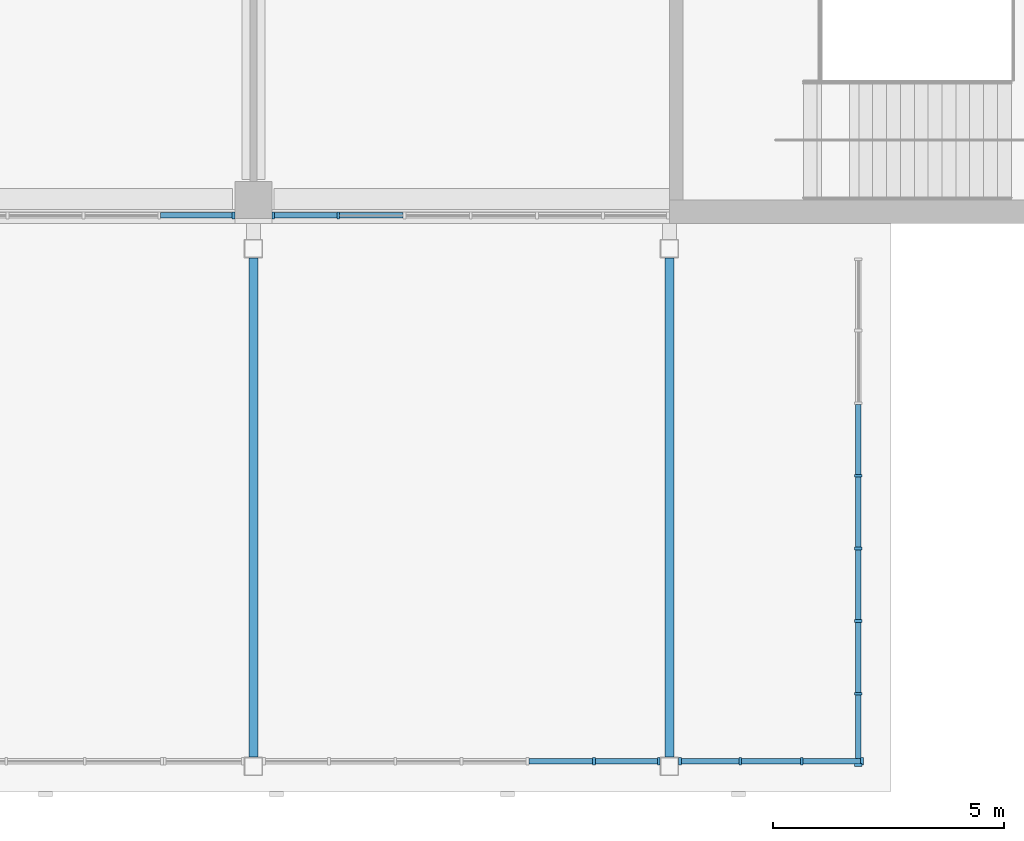
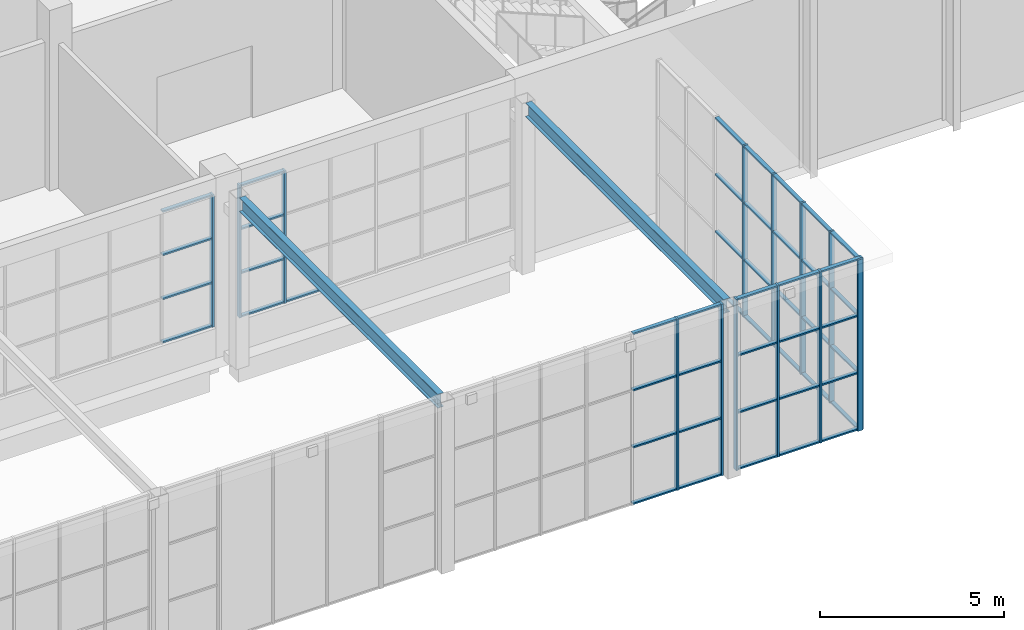
# One storey, part 11 of 89: 63 members, 2 beams, 5 elements without a shape of their own.
"""IFC4 building model written with IfcOpenShell, lengths in metres."""

from ifc_helpers import new_model, si_unit, direction, frame, origin, origin_2d, place, context, subcontext, project, spatial, rectangle, i_section, extrude, material, material_profile, profile_set, type_object, element, aggregate, save


model = new_model("IFC4")

# Units and contexts
model_context = context("Model", 3, precision=1e-05, world=origin(), true_north=direction((0.0, 1.0)))
body_context = subcontext(model_context, "Body", "Model", "MODEL_VIEW")
ifc_project = project(units=[si_unit("LENGTHUNIT", "METRE"), si_unit("AREAUNIT", "SQUARE_METRE"), si_unit("VOLUMEUNIT", "CUBIC_METRE"), si_unit("PLANEANGLEUNIT", "RADIAN"), si_unit("MASSUNIT", "GRAM", prefix="KILO")], contexts=[model_context])

# Site, building, storey
site_placement = place(None, origin())
site = spatial("IfcSite", under=ifc_project, at=site_placement, CompositionType="ELEMENT")
building_placement = place(site_placement, origin())
building = spatial("IfcBuilding", under=site, at=building_placement, Name="Silverbay Arena", CompositionType="ELEMENT")
storey_placement = place(building_placement, frame((0.0, 0.0, 22.0)))
storey = spatial("IfcBuildingStorey", under=building, at=storey_placement, Name="L03", CompositionType="ELEMENT", Elevation=22.0)

# Beams
ifc_material_1 = material(Name="Steel S355", Category="steel")
ifc_material_profile_1 = material_profile(ifc_material_1, i_section(OverallWidth=0.19287109375, OverallDepth=0.46728515625, WebThickness=0.011474609375, FlangeThickness=0.01953125, at=origin_2d()), Name="UB 457x191x98")
ifc_profile_set_1 = profile_set([ifc_material_profile_1], Name="Steel S355")
beam_type = type_object("IfcBeamType", Name="Hall beam UB 457x191x98", PredefinedType="BEAM", material=ifc_profile_set_1)
for number, where, z_axis, x_axis, name in (
    (1, (135.0, 16.75, 5.46630859375), (0.0, -1.0, 0.0), (1.0, 0.0, 0.0), "South entrance hall S1 transverse beam 3R"),
    (2, (144.0, 16.75, 5.46630859375), (0.0, -1.0, 0.0), (1.0, 0.0, 0.0), "South entrance hall S1 transverse beam 4R"),
):
    element("IfcBeam", number, at=place(storey_placement, frame(where, z_axis=z_axis, x_axis=x_axis)), inside=storey, type_object=beam_type, Name=name, PredefinedType="BEAM", context=body_context, shape_type="SweptSolid", body=[
        extrude(i_section(OverallWidth=0.19287109375, OverallDepth=0.46728515625, WebThickness=0.011474609375, FlangeThickness=0.01953125, at=origin_2d()), origin(), (0.0, 0.0, 1.0), 10.800048828125),
    ])

# Curtain wall, member
ifc_material_2 = material(Name="Aluminium framed curtain wall", Category="aluminium")
curtain_wall_type_1 = type_object("IfcCurtainWallType", Name="Curtain wall 8200 x 4400", PredefinedType="NOTDEFINED", material=ifc_material_2)
curtain_wall_1_placement = place(storey_placement, origin())
curtain_wall_1 = element("IfcCurtainWall", 3, at=curtain_wall_1_placement, inside=storey, type_object=curtain_wall_type_1, Name="South curtain wall L03 bay 9", PredefinedType="NOTDEFINED")
ifc_material_3 = material(Name="Aluminium", Category="aluminium")
ifc_material_profile_2 = material_profile(ifc_material_3, rectangle(XDim=0.159912109375, YDim=0.06005859375, at=origin_2d()), Name="Mullion 60 x 160")
ifc_profile_set_2 = profile_set([ifc_material_profile_2], Name="Aluminium")
member_type_1 = type_object("IfcMemberType", Name="Mullion 60 x 160", PredefinedType="MULLION", material=ifc_profile_set_2)
member_1_placement = place(storey_placement, frame((134.570068359375, 17.669921875, 1.0), z_axis=(0.0, 0.0, 1.0), x_axis=(0.0, 1.0, 0.0)))
member_1 = element("IfcMember", 4, at=member_1_placement, type_object=member_type_1, Name="CW13 mullion 6", PredefinedType="MULLION", context=body_context, shape_type="SweptSolid", body=[
    extrude(rectangle(XDim=0.159912109375, YDim=0.06005859375, at=origin_2d()), origin(), (0.0, 0.0, 1.0), 4.39990234375),
])

# Curtain wall, members
ifc_material_4 = material(Name="Aluminium framed curtain wall", Category="aluminium")
curtain_wall_type_2 = type_object("IfcCurtainWallType", Name="Curtain wall 8600 x 4400", PredefinedType="NOTDEFINED", material=ifc_material_4)
curtain_wall_2_placement = place(storey_placement, origin())
curtain_wall_2 = element("IfcCurtainWall", 5, at=curtain_wall_2_placement, inside=storey, type_object=curtain_wall_type_2, Name="South curtain wall L03 bay 10", PredefinedType="NOTDEFINED")
member_2_placement = place(storey_placement, frame((135.429931640625, 17.669921875, 1.0), z_axis=(0.0, 0.0, 1.0), x_axis=(0.0, 1.0, 0.0)))
member_2 = element("IfcMember", 6, at=member_2_placement, type_object=member_type_1, Name="CW12 mullion 1", PredefinedType="MULLION", context=body_context, shape_type="SweptSolid", body=[
    extrude(rectangle(XDim=0.159912109375, YDim=0.06005859375, at=origin_2d()), origin(), (0.0, 0.0, 1.0), 4.39990234375),
])
member_3_placement = place(storey_placement, frame((136.833251953125, 17.669921875, 1.0), z_axis=(0.0, 0.0, 1.0), x_axis=(0.0, 1.0, 0.0)))
member_3 = element("IfcMember", 7, at=member_3_placement, type_object=member_type_1, Name="CW12 mullion 2", PredefinedType="MULLION", context=body_context, shape_type="SweptSolid", body=[
    extrude(rectangle(XDim=0.159912109375, YDim=0.06005859375, at=origin_2d()), origin(), (0.0, 0.0, 1.0), 4.39990234375),
])

ifc_material_5 = material(Name="Aluminium framed curtain wall", Category="aluminium")
curtain_wall_type_3 = type_object("IfcCurtainWallType", Name="Curtain wall 8600 x 5700", PredefinedType="NOTDEFINED", material=ifc_material_5)
curtain_wall_3_placement = place(storey_placement, origin())
curtain_wall_3 = element("IfcCurtainWall", 8, at=curtain_wall_3_placement, inside=storey, type_object=curtain_wall_type_3, Name="South entrance hall S1 glazing F2", PredefinedType="NOTDEFINED")
member_4_placement = place(storey_placement, frame((142.36669921875, 5.860107421875, 0.0), z_axis=(0.0, 0.0, 1.0), x_axis=(0.0, 1.0, 0.0)))
member_4 = element("IfcMember", 9, at=member_4_placement, type_object=member_type_1, Name="CW27 mullion 6", PredefinedType="MULLION", context=body_context, shape_type="SweptSolid", body=[
    extrude(rectangle(XDim=0.159912109375, YDim=0.06005859375, at=origin_2d()), origin(), (0.0, 0.0, 1.0), 5.699951171875),
])
member_5_placement = place(storey_placement, frame((143.77001953125, 5.860107421875, 0.0), z_axis=(0.0, 0.0, 1.0), x_axis=(0.0, 1.0, 0.0)))
member_5 = element("IfcMember", 10, at=member_5_placement, type_object=member_type_1, Name="CW27 mullion 7", PredefinedType="MULLION", context=body_context, shape_type="SweptSolid", body=[
    extrude(rectangle(XDim=0.159912109375, YDim=0.06005859375, at=origin_2d()), origin(), (0.0, 0.0, 1.0), 5.699951171875),
])

ifc_material_6 = material(Name="Aluminium framed curtain wall", Category="aluminium")
curtain_wall_type_4 = type_object("IfcCurtainWallType", Name="Curtain wall 4000 x 5700", PredefinedType="NOTDEFINED", material=ifc_material_6)
curtain_wall_4_placement = place(storey_placement, origin())
curtain_wall_4 = element("IfcCurtainWall", 11, at=curtain_wall_4_placement, inside=storey, type_object=curtain_wall_type_4, Name="South entrance hall S1 glazing F-b", PredefinedType="NOTDEFINED")
member_6_placement = place(storey_placement, frame((144.22998046875, 5.860107421875, 0.0), z_axis=(0.0, 0.0, 1.0), x_axis=(0.0, 1.0, 0.0)))
member_6 = element("IfcMember", 12, at=member_6_placement, type_object=member_type_1, Name="CW35 mullion 1", PredefinedType="MULLION", context=body_context, shape_type="SweptSolid", body=[
    extrude(rectangle(XDim=0.159912109375, YDim=0.06005859375, at=origin_2d()), origin(), (0.0, 0.0, 1.0), 5.699951171875),
])
member_7_placement = place(storey_placement, frame((145.533447265625, 5.860107421875, 0.0), z_axis=(0.0, 0.0, 1.0), x_axis=(0.0, 1.0, 0.0)))
member_7 = element("IfcMember", 13, at=member_7_placement, type_object=member_type_1, Name="CW35 mullion 2", PredefinedType="MULLION", context=body_context, shape_type="SweptSolid", body=[
    extrude(rectangle(XDim=0.159912109375, YDim=0.06005859375, at=origin_2d()), origin(), (0.0, 0.0, 1.0), 5.699951171875),
])
member_8_placement = place(storey_placement, frame((146.86669921875, 5.860107421875, 0.0), z_axis=(0.0, 0.0, 1.0), x_axis=(0.0, 1.0, 0.0)))
member_8 = element("IfcMember", 14, at=member_8_placement, type_object=member_type_1, Name="CW35 mullion 3", PredefinedType="MULLION", context=body_context, shape_type="SweptSolid", body=[
    extrude(rectangle(XDim=0.159912109375, YDim=0.06005859375, at=origin_2d()), origin(), (0.0, 0.0, 1.0), 5.699951171875),
])
member_9_placement = place(storey_placement, frame((148.169921875, 5.860107421875, 0.0), z_axis=(0.0, 0.0, 1.0), x_axis=(0.0, 1.0, 0.0)))
member_9 = element("IfcMember", 15, at=member_9_placement, type_object=member_type_1, Name="CW35 mullion 4", PredefinedType="MULLION", context=body_context, shape_type="SweptSolid", body=[
    extrude(rectangle(XDim=0.159912109375, YDim=0.06005859375, at=origin_2d()), origin(), (0.0, 0.0, 1.0), 5.699951171875),
])

ifc_material_7 = material(Name="Aluminium framed curtain wall", Category="aluminium")
curtain_wall_type_5 = type_object("IfcCurtainWallType", Name="Curtain wall 11000 x 5700", PredefinedType="NOTDEFINED", material=ifc_material_7)
curtain_wall_5_placement = place(storey_placement, origin())
curtain_wall_5 = element("IfcCurtainWall", 16, at=curtain_wall_5_placement, inside=storey, type_object=curtain_wall_type_5, Name="South entrance hall S1 glazing SB", PredefinedType="NOTDEFINED")
member_10_placement = place(storey_placement, frame((148.090087890625, 5.780029296875, 0.0), z_axis=(0.0, 0.0, 1.0), x_axis=(-1.0, 0.0, 0.0)))
member_10 = element("IfcMember", 17, at=member_10_placement, type_object=member_type_1, Name="CW38 mullion 1", PredefinedType="MULLION", context=body_context, shape_type="SweptSolid", body=[
    extrude(rectangle(XDim=0.159912109375, YDim=0.06005859375, at=origin_2d()), origin(), (0.0, 0.0, 1.0), 5.699951171875),
])
member_11_placement = place(storey_placement, frame((148.090087890625, 7.321533203125, 0.0), z_axis=(0.0, 0.0, 1.0), x_axis=(-1.0, 0.0, 0.0)))
member_11 = element("IfcMember", 18, at=member_11_placement, type_object=member_type_1, Name="CW38 mullion 2", PredefinedType="MULLION", context=body_context, shape_type="SweptSolid", body=[
    extrude(rectangle(XDim=0.159912109375, YDim=0.06005859375, at=origin_2d()), origin(), (0.0, 0.0, 1.0), 5.699951171875),
])
member_12_placement = place(storey_placement, frame((148.090087890625, 8.892822265625, 0.0), z_axis=(0.0, 0.0, 1.0), x_axis=(-1.0, 0.0, 0.0)))
member_12 = element("IfcMember", 19, at=member_12_placement, type_object=member_type_1, Name="CW38 mullion 3", PredefinedType="MULLION", context=body_context, shape_type="SweptSolid", body=[
    extrude(rectangle(XDim=0.159912109375, YDim=0.06005859375, at=origin_2d()), origin(), (0.0, 0.0, 1.0), 5.699951171875),
])
member_13_placement = place(storey_placement, frame((148.090087890625, 10.46435546875, 0.0), z_axis=(0.0, 0.0, 1.0), x_axis=(-1.0, 0.0, 0.0)))
member_13 = element("IfcMember", 20, at=member_13_placement, type_object=member_type_1, Name="CW38 mullion 4", PredefinedType="MULLION", context=body_context, shape_type="SweptSolid", body=[
    extrude(rectangle(XDim=0.159912109375, YDim=0.06005859375, at=origin_2d()), origin(), (0.0, 0.0, 1.0), 5.699951171875),
])
member_14_placement = place(storey_placement, frame((148.090087890625, 12.03564453125, 0.0), z_axis=(0.0, 0.0, 1.0), x_axis=(-1.0, 0.0, 0.0)))
member_14 = element("IfcMember", 21, at=member_14_placement, type_object=member_type_1, Name="CW38 mullion 5", PredefinedType="MULLION", context=body_context, shape_type="SweptSolid", body=[
    extrude(rectangle(XDim=0.159912109375, YDim=0.06005859375, at=origin_2d()), origin(), (0.0, 0.0, 1.0), 5.699951171875),
])

# Member
ifc_material_8 = material(Name="Aluminium", Category="aluminium")
ifc_material_profile_3 = material_profile(ifc_material_8, rectangle(XDim=0.1201171875, YDim=0.050048828125, at=origin_2d()), Name="Transom 50 x 120")
ifc_profile_set_3 = profile_set([ifc_material_profile_3], Name="Aluminium")
member_type_2 = type_object("IfcMemberType", Name="Transom 50 x 120", PredefinedType="USERDEFINED", material=ifc_profile_set_3)
member_15_placement = place(storey_placement, frame((132.989990234375, 17.669921875, 1.02490234375), z_axis=(1.0, 0.0, 0.0), x_axis=(0.0, 1.0, 0.0)))
member_15 = element("IfcMember", 22, at=member_15_placement, type_object=member_type_2, Name="CW13 transom 5.1", ObjectType="TRANSOM", PredefinedType="USERDEFINED", context=body_context, shape_type="SweptSolid", body=[
    extrude(rectangle(XDim=0.1201171875, YDim=0.050048828125, at=origin_2d()), origin(), (0.0, 0.0, 1.0), 1.550048828125),
])

member_16_placement = place(storey_placement, frame((132.989990234375, 17.669921875, 2.466552734375), z_axis=(1.0, 0.0, 0.0), x_axis=(0.0, 1.0, 0.0)))
member_16 = element("IfcMember", 23, at=member_16_placement, type_object=member_type_2, Name="CW13 transom 5.2", ObjectType="TRANSOM", PredefinedType="USERDEFINED", context=body_context, shape_type="SweptSolid", body=[
    extrude(rectangle(XDim=0.1201171875, YDim=0.050048828125, at=origin_2d()), origin(), (0.0, 0.0, 1.0), 1.550048828125),
])

member_17_placement = place(storey_placement, frame((132.989990234375, 17.669921875, 3.933349609375), z_axis=(1.0, 0.0, 0.0), x_axis=(0.0, 1.0, 0.0)))
member_17 = element("IfcMember", 24, at=member_17_placement, type_object=member_type_2, Name="CW13 transom 5.3", ObjectType="TRANSOM", PredefinedType="USERDEFINED", context=body_context, shape_type="SweptSolid", body=[
    extrude(rectangle(XDim=0.1201171875, YDim=0.050048828125, at=origin_2d()), origin(), (0.0, 0.0, 1.0), 1.550048828125),
])

member_18_placement = place(storey_placement, frame((132.989990234375, 17.669921875, 5.375), z_axis=(1.0, 0.0, 0.0), x_axis=(0.0, 1.0, 0.0)))
member_18 = element("IfcMember", 25, at=member_18_placement, type_object=member_type_2, Name="CW13 transom 5.4", ObjectType="TRANSOM", PredefinedType="USERDEFINED", context=body_context, shape_type="SweptSolid", body=[
    extrude(rectangle(XDim=0.1201171875, YDim=0.050048828125, at=origin_2d()), origin(), (0.0, 0.0, 1.0), 1.550048828125),
])

aggregate(curtain_wall_1, [member_1, member_15, member_16, member_17, member_18])

member_19_placement = place(storey_placement, frame((135.4599609375, 17.669921875, 1.02490234375), z_axis=(1.0, 0.0, 0.0), x_axis=(0.0, 1.0, 0.0)))
member_19 = element("IfcMember", 26, at=member_19_placement, type_object=member_type_2, Name="CW12 transom 1.1", ObjectType="TRANSOM", PredefinedType="USERDEFINED", context=body_context, shape_type="SweptSolid", body=[
    extrude(rectangle(XDim=0.1201171875, YDim=0.050048828125, at=origin_2d()), origin(), (0.0, 0.0, 1.0), 1.34326171875),
])

member_20_placement = place(storey_placement, frame((135.4599609375, 17.669921875, 2.466552734375), z_axis=(1.0, 0.0, 0.0), x_axis=(0.0, 1.0, 0.0)))
member_20 = element("IfcMember", 27, at=member_20_placement, type_object=member_type_2, Name="CW12 transom 1.2", ObjectType="TRANSOM", PredefinedType="USERDEFINED", context=body_context, shape_type="SweptSolid", body=[
    extrude(rectangle(XDim=0.1201171875, YDim=0.050048828125, at=origin_2d()), origin(), (0.0, 0.0, 1.0), 1.34326171875),
])

member_21_placement = place(storey_placement, frame((135.4599609375, 17.669921875, 3.933349609375), z_axis=(1.0, 0.0, 0.0), x_axis=(0.0, 1.0, 0.0)))
member_21 = element("IfcMember", 28, at=member_21_placement, type_object=member_type_2, Name="CW12 transom 1.3", ObjectType="TRANSOM", PredefinedType="USERDEFINED", context=body_context, shape_type="SweptSolid", body=[
    extrude(rectangle(XDim=0.1201171875, YDim=0.050048828125, at=origin_2d()), origin(), (0.0, 0.0, 1.0), 1.34326171875),
])

member_22_placement = place(storey_placement, frame((135.4599609375, 17.669921875, 5.375), z_axis=(1.0, 0.0, 0.0), x_axis=(0.0, 1.0, 0.0)))
member_22 = element("IfcMember", 29, at=member_22_placement, type_object=member_type_2, Name="CW12 transom 1.4", ObjectType="TRANSOM", PredefinedType="USERDEFINED", context=body_context, shape_type="SweptSolid", body=[
    extrude(rectangle(XDim=0.1201171875, YDim=0.050048828125, at=origin_2d()), origin(), (0.0, 0.0, 1.0), 1.34326171875),
])

member_23_placement = place(storey_placement, frame((136.86328125, 17.669921875, 1.02490234375), z_axis=(1.0, 0.0, 0.0), x_axis=(0.0, 1.0, 0.0)))
member_23 = element("IfcMember", 30, at=member_23_placement, type_object=member_type_2, Name="CW12 transom 2.1", ObjectType="TRANSOM", PredefinedType="USERDEFINED", context=body_context, shape_type="SweptSolid", body=[
    extrude(rectangle(XDim=0.1201171875, YDim=0.050048828125, at=origin_2d()), origin(), (0.0, 0.0, 1.0), 1.373291015625),
])

aggregate(curtain_wall_2, [member_2, member_3, member_19, member_20, member_21, member_22, member_23])

member_24_placement = place(storey_placement, frame((140.96337890625, 5.860107421875, 0.02490234375), z_axis=(1.0, 0.0, 0.0), x_axis=(0.0, 1.0, 0.0)))
member_24 = element("IfcMember", 31, at=member_24_placement, type_object=member_type_2, Name="CW27 transom 5.1", ObjectType="TRANSOM", PredefinedType="USERDEFINED", context=body_context, shape_type="SweptSolid", body=[
    extrude(rectangle(XDim=0.1201171875, YDim=0.050048828125, at=origin_2d()), origin(), (0.0, 0.0, 1.0), 1.373291015625),
])

member_25_placement = place(storey_placement, frame((140.96337890625, 5.860107421875, 1.89990234375), z_axis=(1.0, 0.0, 0.0), x_axis=(0.0, 1.0, 0.0)))
member_25 = element("IfcMember", 32, at=member_25_placement, type_object=member_type_2, Name="CW27 transom 5.2", ObjectType="TRANSOM", PredefinedType="USERDEFINED", context=body_context, shape_type="SweptSolid", body=[
    extrude(rectangle(XDim=0.1201171875, YDim=0.050048828125, at=origin_2d()), origin(), (0.0, 0.0, 1.0), 1.373291015625),
])

member_26_placement = place(storey_placement, frame((140.96337890625, 5.860107421875, 3.800048828125), z_axis=(1.0, 0.0, 0.0), x_axis=(0.0, 1.0, 0.0)))
member_26 = element("IfcMember", 33, at=member_26_placement, type_object=member_type_2, Name="CW27 transom 5.3", ObjectType="TRANSOM", PredefinedType="USERDEFINED", context=body_context, shape_type="SweptSolid", body=[
    extrude(rectangle(XDim=0.1201171875, YDim=0.050048828125, at=origin_2d()), origin(), (0.0, 0.0, 1.0), 1.373291015625),
])

member_27_placement = place(storey_placement, frame((140.96337890625, 5.860107421875, 5.675048828125), z_axis=(1.0, 0.0, 0.0), x_axis=(0.0, 1.0, 0.0)))
member_27 = element("IfcMember", 34, at=member_27_placement, type_object=member_type_2, Name="CW27 transom 5.4", ObjectType="TRANSOM", PredefinedType="USERDEFINED", context=body_context, shape_type="SweptSolid", body=[
    extrude(rectangle(XDim=0.1201171875, YDim=0.050048828125, at=origin_2d()), origin(), (0.0, 0.0, 1.0), 1.373291015625),
])

member_28_placement = place(storey_placement, frame((142.396728515625, 5.860107421875, 0.02490234375), z_axis=(1.0, 0.0, 0.0), x_axis=(0.0, 1.0, 0.0)))
member_28 = element("IfcMember", 35, at=member_28_placement, type_object=member_type_2, Name="CW27 transom 6.1", ObjectType="TRANSOM", PredefinedType="USERDEFINED", context=body_context, shape_type="SweptSolid", body=[
    extrude(rectangle(XDim=0.1201171875, YDim=0.050048828125, at=origin_2d()), origin(), (0.0, 0.0, 1.0), 1.34326171875),
])

member_29_placement = place(storey_placement, frame((142.396728515625, 5.860107421875, 1.89990234375), z_axis=(1.0, 0.0, 0.0), x_axis=(0.0, 1.0, 0.0)))
member_29 = element("IfcMember", 36, at=member_29_placement, type_object=member_type_2, Name="CW27 transom 6.2", ObjectType="TRANSOM", PredefinedType="USERDEFINED", context=body_context, shape_type="SweptSolid", body=[
    extrude(rectangle(XDim=0.1201171875, YDim=0.050048828125, at=origin_2d()), origin(), (0.0, 0.0, 1.0), 1.34326171875),
])

member_30_placement = place(storey_placement, frame((142.396728515625, 5.860107421875, 3.800048828125), z_axis=(1.0, 0.0, 0.0), x_axis=(0.0, 1.0, 0.0)))
member_30 = element("IfcMember", 37, at=member_30_placement, type_object=member_type_2, Name="CW27 transom 6.3", ObjectType="TRANSOM", PredefinedType="USERDEFINED", context=body_context, shape_type="SweptSolid", body=[
    extrude(rectangle(XDim=0.1201171875, YDim=0.050048828125, at=origin_2d()), origin(), (0.0, 0.0, 1.0), 1.34326171875),
])

member_31_placement = place(storey_placement, frame((142.396728515625, 5.860107421875, 5.675048828125), z_axis=(1.0, 0.0, 0.0), x_axis=(0.0, 1.0, 0.0)))
member_31 = element("IfcMember", 38, at=member_31_placement, type_object=member_type_2, Name="CW27 transom 6.4", ObjectType="TRANSOM", PredefinedType="USERDEFINED", context=body_context, shape_type="SweptSolid", body=[
    extrude(rectangle(XDim=0.1201171875, YDim=0.050048828125, at=origin_2d()), origin(), (0.0, 0.0, 1.0), 1.34326171875),
])

aggregate(curtain_wall_3, [member_4, member_5, member_24, member_25, member_26, member_27, member_28, member_29, member_30, member_31])

member_32_placement = place(storey_placement, frame((144.260009765625, 5.860107421875, 0.02490234375), z_axis=(1.0, 0.0, 0.0), x_axis=(0.0, 1.0, 0.0)))
member_32 = element("IfcMember", 39, at=member_32_placement, type_object=member_type_2, Name="CW35 transom 1.1", ObjectType="TRANSOM", PredefinedType="USERDEFINED", context=body_context, shape_type="SweptSolid", body=[
    extrude(rectangle(XDim=0.1201171875, YDim=0.050048828125, at=origin_2d()), origin(), (0.0, 0.0, 1.0), 1.243408203125),
])

member_33_placement = place(storey_placement, frame((144.260009765625, 5.860107421875, 1.89990234375), z_axis=(1.0, 0.0, 0.0), x_axis=(0.0, 1.0, 0.0)))
member_33 = element("IfcMember", 40, at=member_33_placement, type_object=member_type_2, Name="CW35 transom 1.2", ObjectType="TRANSOM", PredefinedType="USERDEFINED", context=body_context, shape_type="SweptSolid", body=[
    extrude(rectangle(XDim=0.1201171875, YDim=0.050048828125, at=origin_2d()), origin(), (0.0, 0.0, 1.0), 1.243408203125),
])

member_34_placement = place(storey_placement, frame((144.260009765625, 5.860107421875, 3.800048828125), z_axis=(1.0, 0.0, 0.0), x_axis=(0.0, 1.0, 0.0)))
member_34 = element("IfcMember", 41, at=member_34_placement, type_object=member_type_2, Name="CW35 transom 1.3", ObjectType="TRANSOM", PredefinedType="USERDEFINED", context=body_context, shape_type="SweptSolid", body=[
    extrude(rectangle(XDim=0.1201171875, YDim=0.050048828125, at=origin_2d()), origin(), (0.0, 0.0, 1.0), 1.243408203125),
])

member_35_placement = place(storey_placement, frame((144.260009765625, 5.860107421875, 5.675048828125), z_axis=(1.0, 0.0, 0.0), x_axis=(0.0, 1.0, 0.0)))
member_35 = element("IfcMember", 42, at=member_35_placement, type_object=member_type_2, Name="CW35 transom 1.4", ObjectType="TRANSOM", PredefinedType="USERDEFINED", context=body_context, shape_type="SweptSolid", body=[
    extrude(rectangle(XDim=0.1201171875, YDim=0.050048828125, at=origin_2d()), origin(), (0.0, 0.0, 1.0), 1.243408203125),
])

member_36_placement = place(storey_placement, frame((145.563232421875, 5.860107421875, 0.02490234375), z_axis=(1.0, 0.0, 0.0), x_axis=(0.0, 1.0, 0.0)))
member_36 = element("IfcMember", 43, at=member_36_placement, type_object=member_type_2, Name="CW35 transom 2.1", ObjectType="TRANSOM", PredefinedType="USERDEFINED", context=body_context, shape_type="SweptSolid", body=[
    extrude(rectangle(XDim=0.1201171875, YDim=0.050048828125, at=origin_2d()), origin(), (0.0, 0.0, 1.0), 1.2734375),
])

member_37_placement = place(storey_placement, frame((145.563232421875, 5.860107421875, 1.89990234375), z_axis=(1.0, 0.0, 0.0), x_axis=(0.0, 1.0, 0.0)))
member_37 = element("IfcMember", 44, at=member_37_placement, type_object=member_type_2, Name="CW35 transom 2.2", ObjectType="TRANSOM", PredefinedType="USERDEFINED", context=body_context, shape_type="SweptSolid", body=[
    extrude(rectangle(XDim=0.1201171875, YDim=0.050048828125, at=origin_2d()), origin(), (0.0, 0.0, 1.0), 1.2734375),
])

member_38_placement = place(storey_placement, frame((145.563232421875, 5.860107421875, 3.800048828125), z_axis=(1.0, 0.0, 0.0), x_axis=(0.0, 1.0, 0.0)))
member_38 = element("IfcMember", 45, at=member_38_placement, type_object=member_type_2, Name="CW35 transom 2.3", ObjectType="TRANSOM", PredefinedType="USERDEFINED", context=body_context, shape_type="SweptSolid", body=[
    extrude(rectangle(XDim=0.1201171875, YDim=0.050048828125, at=origin_2d()), origin(), (0.0, 0.0, 1.0), 1.2734375),
])

member_39_placement = place(storey_placement, frame((145.563232421875, 5.860107421875, 5.675048828125), z_axis=(1.0, 0.0, 0.0), x_axis=(0.0, 1.0, 0.0)))
member_39 = element("IfcMember", 46, at=member_39_placement, type_object=member_type_2, Name="CW35 transom 2.4", ObjectType="TRANSOM", PredefinedType="USERDEFINED", context=body_context, shape_type="SweptSolid", body=[
    extrude(rectangle(XDim=0.1201171875, YDim=0.050048828125, at=origin_2d()), origin(), (0.0, 0.0, 1.0), 1.2734375),
])

member_40_placement = place(storey_placement, frame((146.896728515625, 5.860107421875, 0.02490234375), z_axis=(1.0, 0.0, 0.0), x_axis=(0.0, 1.0, 0.0)))
member_40 = element("IfcMember", 47, at=member_40_placement, type_object=member_type_2, Name="CW35 transom 3.1", ObjectType="TRANSOM", PredefinedType="USERDEFINED", context=body_context, shape_type="SweptSolid", body=[
    extrude(rectangle(XDim=0.1201171875, YDim=0.050048828125, at=origin_2d()), origin(), (0.0, 0.0, 1.0), 1.2431640625),
])

member_41_placement = place(storey_placement, frame((146.896728515625, 5.860107421875, 1.89990234375), z_axis=(1.0, 0.0, 0.0), x_axis=(0.0, 1.0, 0.0)))
member_41 = element("IfcMember", 48, at=member_41_placement, type_object=member_type_2, Name="CW35 transom 3.2", ObjectType="TRANSOM", PredefinedType="USERDEFINED", context=body_context, shape_type="SweptSolid", body=[
    extrude(rectangle(XDim=0.1201171875, YDim=0.050048828125, at=origin_2d()), origin(), (0.0, 0.0, 1.0), 1.2431640625),
])

member_42_placement = place(storey_placement, frame((146.896728515625, 5.860107421875, 3.800048828125), z_axis=(1.0, 0.0, 0.0), x_axis=(0.0, 1.0, 0.0)))
member_42 = element("IfcMember", 49, at=member_42_placement, type_object=member_type_2, Name="CW35 transom 3.3", ObjectType="TRANSOM", PredefinedType="USERDEFINED", context=body_context, shape_type="SweptSolid", body=[
    extrude(rectangle(XDim=0.1201171875, YDim=0.050048828125, at=origin_2d()), origin(), (0.0, 0.0, 1.0), 1.2431640625),
])

member_43_placement = place(storey_placement, frame((146.896728515625, 5.860107421875, 5.675048828125), z_axis=(1.0, 0.0, 0.0), x_axis=(0.0, 1.0, 0.0)))
member_43 = element("IfcMember", 50, at=member_43_placement, type_object=member_type_2, Name="CW35 transom 3.4", ObjectType="TRANSOM", PredefinedType="USERDEFINED", context=body_context, shape_type="SweptSolid", body=[
    extrude(rectangle(XDim=0.1201171875, YDim=0.050048828125, at=origin_2d()), origin(), (0.0, 0.0, 1.0), 1.2431640625),
])

aggregate(curtain_wall_4, [member_6, member_7, member_8, member_9, member_32, member_33, member_34, member_35, member_36, member_37, member_38, member_39, member_40, member_41, member_42, member_43])

member_44_placement = place(storey_placement, frame((148.090087890625, 5.81005859375, 0.02490234375), z_axis=(0.0, 1.0, 0.0), x_axis=(-1.0, 0.0, 0.0)))
member_44 = element("IfcMember", 51, at=member_44_placement, type_object=member_type_2, Name="CW38 transom 1.1", ObjectType="TRANSOM", PredefinedType="USERDEFINED", context=body_context, shape_type="SweptSolid", body=[
    extrude(rectangle(XDim=0.1201171875, YDim=0.050048828125, at=origin_2d()), origin(), (0.0, 0.0, 1.0), 1.4814453125),
])

member_45_placement = place(storey_placement, frame((148.090087890625, 5.81005859375, 1.89990234375), z_axis=(0.0, 1.0, 0.0), x_axis=(-1.0, 0.0, 0.0)))
member_45 = element("IfcMember", 52, at=member_45_placement, type_object=member_type_2, Name="CW38 transom 1.2", ObjectType="TRANSOM", PredefinedType="USERDEFINED", context=body_context, shape_type="SweptSolid", body=[
    extrude(rectangle(XDim=0.1201171875, YDim=0.050048828125, at=origin_2d()), origin(), (0.0, 0.0, 1.0), 1.4814453125),
])

member_46_placement = place(storey_placement, frame((148.090087890625, 5.81005859375, 3.800048828125), z_axis=(0.0, 1.0, 0.0), x_axis=(-1.0, 0.0, 0.0)))
member_46 = element("IfcMember", 53, at=member_46_placement, type_object=member_type_2, Name="CW38 transom 1.3", ObjectType="TRANSOM", PredefinedType="USERDEFINED", context=body_context, shape_type="SweptSolid", body=[
    extrude(rectangle(XDim=0.1201171875, YDim=0.050048828125, at=origin_2d()), origin(), (0.0, 0.0, 1.0), 1.4814453125),
])

member_47_placement = place(storey_placement, frame((148.090087890625, 5.81005859375, 5.675048828125), z_axis=(0.0, 1.0, 0.0), x_axis=(-1.0, 0.0, 0.0)))
member_47 = element("IfcMember", 54, at=member_47_placement, type_object=member_type_2, Name="CW38 transom 1.4", ObjectType="TRANSOM", PredefinedType="USERDEFINED", context=body_context, shape_type="SweptSolid", body=[
    extrude(rectangle(XDim=0.1201171875, YDim=0.050048828125, at=origin_2d()), origin(), (0.0, 0.0, 1.0), 1.4814453125),
])

member_48_placement = place(storey_placement, frame((148.090087890625, 7.351318359375, 0.02490234375), z_axis=(0.0, 1.0, 0.0), x_axis=(-1.0, 0.0, 0.0)))
member_48 = element("IfcMember", 55, at=member_48_placement, type_object=member_type_2, Name="CW38 transom 2.1", ObjectType="TRANSOM", PredefinedType="USERDEFINED", context=body_context, shape_type="SweptSolid", body=[
    extrude(rectangle(XDim=0.1201171875, YDim=0.050048828125, at=origin_2d()), origin(), (0.0, 0.0, 1.0), 1.511474609375),
])

member_49_placement = place(storey_placement, frame((148.090087890625, 7.351318359375, 1.89990234375), z_axis=(0.0, 1.0, 0.0), x_axis=(-1.0, 0.0, 0.0)))
member_49 = element("IfcMember", 56, at=member_49_placement, type_object=member_type_2, Name="CW38 transom 2.2", ObjectType="TRANSOM", PredefinedType="USERDEFINED", context=body_context, shape_type="SweptSolid", body=[
    extrude(rectangle(XDim=0.1201171875, YDim=0.050048828125, at=origin_2d()), origin(), (0.0, 0.0, 1.0), 1.511474609375),
])

member_50_placement = place(storey_placement, frame((148.090087890625, 7.351318359375, 3.800048828125), z_axis=(0.0, 1.0, 0.0), x_axis=(-1.0, 0.0, 0.0)))
member_50 = element("IfcMember", 57, at=member_50_placement, type_object=member_type_2, Name="CW38 transom 2.3", ObjectType="TRANSOM", PredefinedType="USERDEFINED", context=body_context, shape_type="SweptSolid", body=[
    extrude(rectangle(XDim=0.1201171875, YDim=0.050048828125, at=origin_2d()), origin(), (0.0, 0.0, 1.0), 1.511474609375),
])

member_51_placement = place(storey_placement, frame((148.090087890625, 7.351318359375, 5.675048828125), z_axis=(0.0, 1.0, 0.0), x_axis=(-1.0, 0.0, 0.0)))
member_51 = element("IfcMember", 58, at=member_51_placement, type_object=member_type_2, Name="CW38 transom 2.4", ObjectType="TRANSOM", PredefinedType="USERDEFINED", context=body_context, shape_type="SweptSolid", body=[
    extrude(rectangle(XDim=0.1201171875, YDim=0.050048828125, at=origin_2d()), origin(), (0.0, 0.0, 1.0), 1.511474609375),
])

member_52_placement = place(storey_placement, frame((148.090087890625, 8.9228515625, 0.02490234375), z_axis=(0.0, 1.0, 0.0), x_axis=(-1.0, 0.0, 0.0)))
member_52 = element("IfcMember", 59, at=member_52_placement, type_object=member_type_2, Name="CW38 transom 3.1", ObjectType="TRANSOM", PredefinedType="USERDEFINED", context=body_context, shape_type="SweptSolid", body=[
    extrude(rectangle(XDim=0.1201171875, YDim=0.050048828125, at=origin_2d()), origin(), (0.0, 0.0, 1.0), 1.511474609375),
])

member_53_placement = place(storey_placement, frame((148.090087890625, 8.9228515625, 1.89990234375), z_axis=(0.0, 1.0, 0.0), x_axis=(-1.0, 0.0, 0.0)))
member_53 = element("IfcMember", 60, at=member_53_placement, type_object=member_type_2, Name="CW38 transom 3.2", ObjectType="TRANSOM", PredefinedType="USERDEFINED", context=body_context, shape_type="SweptSolid", body=[
    extrude(rectangle(XDim=0.1201171875, YDim=0.050048828125, at=origin_2d()), origin(), (0.0, 0.0, 1.0), 1.511474609375),
])

member_54_placement = place(storey_placement, frame((148.090087890625, 8.9228515625, 3.800048828125), z_axis=(0.0, 1.0, 0.0), x_axis=(-1.0, 0.0, 0.0)))
member_54 = element("IfcMember", 61, at=member_54_placement, type_object=member_type_2, Name="CW38 transom 3.3", ObjectType="TRANSOM", PredefinedType="USERDEFINED", context=body_context, shape_type="SweptSolid", body=[
    extrude(rectangle(XDim=0.1201171875, YDim=0.050048828125, at=origin_2d()), origin(), (0.0, 0.0, 1.0), 1.511474609375),
])

member_55_placement = place(storey_placement, frame((148.090087890625, 8.9228515625, 5.675048828125), z_axis=(0.0, 1.0, 0.0), x_axis=(-1.0, 0.0, 0.0)))
member_55 = element("IfcMember", 62, at=member_55_placement, type_object=member_type_2, Name="CW38 transom 3.4", ObjectType="TRANSOM", PredefinedType="USERDEFINED", context=body_context, shape_type="SweptSolid", body=[
    extrude(rectangle(XDim=0.1201171875, YDim=0.050048828125, at=origin_2d()), origin(), (0.0, 0.0, 1.0), 1.511474609375),
])

member_56_placement = place(storey_placement, frame((148.090087890625, 10.494384765625, 0.02490234375), z_axis=(0.0, 1.0, 0.0), x_axis=(-1.0, 0.0, 0.0)))
member_56 = element("IfcMember", 63, at=member_56_placement, type_object=member_type_2, Name="CW38 transom 4.1", ObjectType="TRANSOM", PredefinedType="USERDEFINED", context=body_context, shape_type="SweptSolid", body=[
    extrude(rectangle(XDim=0.1201171875, YDim=0.050048828125, at=origin_2d()), origin(), (0.0, 0.0, 1.0), 1.51123046875),
])

member_57_placement = place(storey_placement, frame((148.090087890625, 10.494384765625, 1.89990234375), z_axis=(0.0, 1.0, 0.0), x_axis=(-1.0, 0.0, 0.0)))
member_57 = element("IfcMember", 64, at=member_57_placement, type_object=member_type_2, Name="CW38 transom 4.2", ObjectType="TRANSOM", PredefinedType="USERDEFINED", context=body_context, shape_type="SweptSolid", body=[
    extrude(rectangle(XDim=0.1201171875, YDim=0.050048828125, at=origin_2d()), origin(), (0.0, 0.0, 1.0), 1.51123046875),
])

member_58_placement = place(storey_placement, frame((148.090087890625, 10.494384765625, 3.800048828125), z_axis=(0.0, 1.0, 0.0), x_axis=(-1.0, 0.0, 0.0)))
member_58 = element("IfcMember", 65, at=member_58_placement, type_object=member_type_2, Name="CW38 transom 4.3", ObjectType="TRANSOM", PredefinedType="USERDEFINED", context=body_context, shape_type="SweptSolid", body=[
    extrude(rectangle(XDim=0.1201171875, YDim=0.050048828125, at=origin_2d()), origin(), (0.0, 0.0, 1.0), 1.51123046875),
])

member_59_placement = place(storey_placement, frame((148.090087890625, 10.494384765625, 5.675048828125), z_axis=(0.0, 1.0, 0.0), x_axis=(-1.0, 0.0, 0.0)))
member_59 = element("IfcMember", 66, at=member_59_placement, type_object=member_type_2, Name="CW38 transom 4.4", ObjectType="TRANSOM", PredefinedType="USERDEFINED", context=body_context, shape_type="SweptSolid", body=[
    extrude(rectangle(XDim=0.1201171875, YDim=0.050048828125, at=origin_2d()), origin(), (0.0, 0.0, 1.0), 1.51123046875),
])

member_60_placement = place(storey_placement, frame((148.090087890625, 12.065673828125, 0.02490234375), z_axis=(0.0, 1.0, 0.0), x_axis=(-1.0, 0.0, 0.0)))
member_60 = element("IfcMember", 67, at=member_60_placement, type_object=member_type_2, Name="CW38 transom 5.1", ObjectType="TRANSOM", PredefinedType="USERDEFINED", context=body_context, shape_type="SweptSolid", body=[
    extrude(rectangle(XDim=0.1201171875, YDim=0.050048828125, at=origin_2d()), origin(), (0.0, 0.0, 1.0), 1.511474609375),
])

member_61_placement = place(storey_placement, frame((148.090087890625, 12.065673828125, 1.89990234375), z_axis=(0.0, 1.0, 0.0), x_axis=(-1.0, 0.0, 0.0)))
member_61 = element("IfcMember", 68, at=member_61_placement, type_object=member_type_2, Name="CW38 transom 5.2", ObjectType="TRANSOM", PredefinedType="USERDEFINED", context=body_context, shape_type="SweptSolid", body=[
    extrude(rectangle(XDim=0.1201171875, YDim=0.050048828125, at=origin_2d()), origin(), (0.0, 0.0, 1.0), 1.511474609375),
])

member_62_placement = place(storey_placement, frame((148.090087890625, 12.065673828125, 3.800048828125), z_axis=(0.0, 1.0, 0.0), x_axis=(-1.0, 0.0, 0.0)))
member_62 = element("IfcMember", 69, at=member_62_placement, type_object=member_type_2, Name="CW38 transom 5.3", ObjectType="TRANSOM", PredefinedType="USERDEFINED", context=body_context, shape_type="SweptSolid", body=[
    extrude(rectangle(XDim=0.1201171875, YDim=0.050048828125, at=origin_2d()), origin(), (0.0, 0.0, 1.0), 1.511474609375),
])

member_63_placement = place(storey_placement, frame((148.090087890625, 12.065673828125, 5.675048828125), z_axis=(0.0, 1.0, 0.0), x_axis=(-1.0, 0.0, 0.0)))
member_63 = element("IfcMember", 70, at=member_63_placement, type_object=member_type_2, Name="CW38 transom 5.4", ObjectType="TRANSOM", PredefinedType="USERDEFINED", context=body_context, shape_type="SweptSolid", body=[
    extrude(rectangle(XDim=0.1201171875, YDim=0.050048828125, at=origin_2d()), origin(), (0.0, 0.0, 1.0), 1.511474609375),
])

aggregate(curtain_wall_5, [member_10, member_11, member_12, member_13, member_14, member_44, member_45, member_46, member_47, member_48, member_49, member_50, member_51, member_52, member_53, member_54, member_55, member_56, member_57, member_58, member_59, member_60, member_61, member_62, member_63])

save(model, "model.ifc")
